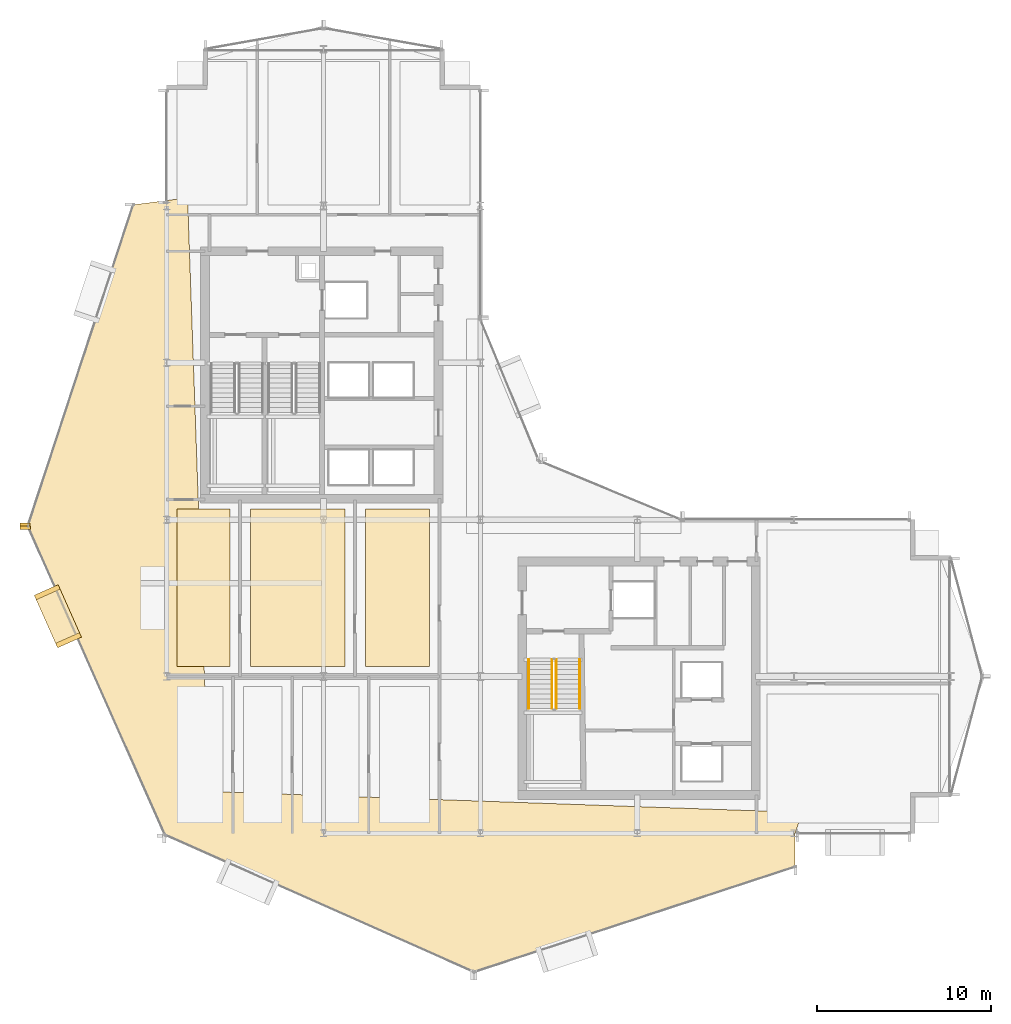
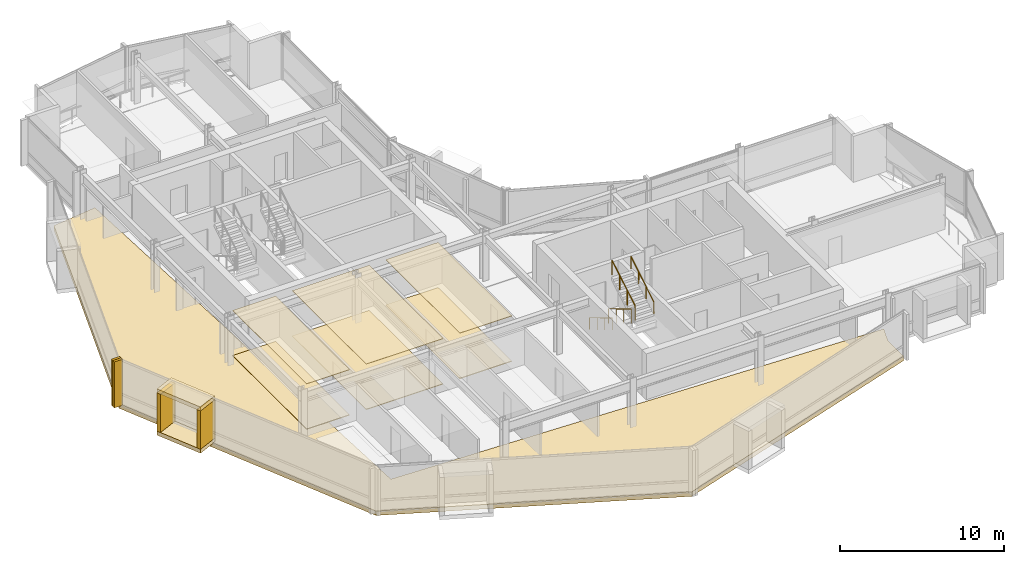
# One storey, part 25 of 28: 13 coverings, 4 railings.
"""IFC4 building model written with IfcOpenShell, lengths in metres."""

from ifc_helpers import new_model, si_unit, direction, frame, origin, origin_2d, place, context, subcontext, project, spatial, polyline, rectangle, circle, outline, extrude, material, layer, layer_set, type_object, element, save


model = new_model("IFC4")

# Units and contexts
model_context = context("Model", 3, precision=1e-05, world=origin(), true_north=direction((0.0, 1.0)))
body_context = subcontext(model_context, "Body", "Model", "MODEL_VIEW")
ifc_project = project(units=[si_unit("LENGTHUNIT", "METRE"), si_unit("AREAUNIT", "SQUARE_METRE"), si_unit("VOLUMEUNIT", "CUBIC_METRE"), si_unit("PLANEANGLEUNIT", "RADIAN"), si_unit("MASSUNIT", "GRAM", prefix="KILO")], contexts=[model_context])

# Site, building, storey
site_placement = place(None, origin())
site = spatial("IfcSite", under=ifc_project, at=site_placement, CompositionType="ELEMENT")
building_placement = place(site_placement, origin())
building = spatial("IfcBuilding", under=site, at=building_placement, Name="Solvaryn Broadcast Tower", CompositionType="ELEMENT")
storey_placement = place(building_placement, frame((0.0, 0.0, 154.39990234375)))
storey = spatial("IfcBuildingStorey", under=building, at=storey_placement, Name="L38", CompositionType="ELEMENT", Elevation=154.39990234375)

# Coverings
ifc_material_1 = material(Name="Micro-Perforated Acoustic Gypsum Ceiling", Category="concrete")
ifc_layer_1 = layer(ifc_material_1, 0.0400390625)
ifc_layer_set_1 = layer_set([ifc_layer_1], Name="CV-CEIL-ACOUSTIC")
covering_type_1 = type_object("IfcCoveringType", Name="CV-CEIL-ACOUSTIC", PredefinedType="CEILING", material=ifc_layer_set_1)
covering_1_placement = place(storey_placement, frame((0.0, 0.0, 3.380126953125)))
element("IfcCovering", 1, at=covering_1_placement, inside=storey, type_object=covering_type_1, Name="L38 Room Acoustic Ceiling 1", PredefinedType="CEILING", context=body_context, shape_type="SweptSolid", body=[
    extrude(outline(polyline([(9.60009765625, 18.570068359375), (12.6298828125, 18.570068359375), (12.6298828125, 27.60009765625), (9.60009765625, 27.60009765625), (9.60009765625, 18.570068359375)])), origin(), (0.0, 0.0, 1.0), 0.0400390625),
])
covering_2_placement = place(storey_placement, frame((0.0, 0.0, 3.380126953125)))
element("IfcCovering", 2, at=covering_2_placement, inside=storey, type_object=covering_type_1, Name="L38 Room Acoustic Ceiling 2", PredefinedType="CEILING", context=body_context, shape_type="SweptSolid", body=[
    extrude(outline(polyline([(13.800048828125, 18.570068359375), (19.22998046875, 18.570068359375), (19.22998046875, 27.60009765625), (13.800048828125, 27.60009765625), (13.800048828125, 18.570068359375)])), origin(), (0.0, 0.0, 1.0), 0.0400390625),
])
covering_3_placement = place(storey_placement, frame((0.0, 0.0, 3.380126953125)))
element("IfcCovering", 3, at=covering_3_placement, inside=storey, type_object=covering_type_1, Name="L38 Room Acoustic Ceiling 3", PredefinedType="CEILING", context=body_context, shape_type="SweptSolid", body=[
    extrude(outline(polyline([(20.39990234375, 18.570068359375), (24.080078125, 18.570068359375), (24.080078125, 27.60009765625), (20.39990234375, 27.60009765625), (20.39990234375, 18.570068359375)])), origin(), (0.0, 0.0, 1.0), 0.0400390625),
])
ifc_material_2 = material(Name="Newsroom Raised Data Access Flooring", Category="steel")
ifc_layer_2 = layer(ifc_material_2, 0.050048828125)
ifc_layer_set_2 = layer_set([ifc_layer_2], Name="CV-FLOOR-RAISED")
covering_type_2 = type_object("IfcCoveringType", Name="CV-FLOOR-RAISED", PredefinedType="FLOORING", material=ifc_layer_set_2)
covering_4_placement = place(storey_placement, origin())
element("IfcCovering", 4, at=covering_4_placement, inside=storey, type_object=covering_type_2, Name="L38 Room Acoustic Floor Finish 1", PredefinedType="FLOORING", context=body_context, shape_type="SweptSolid", body=[
    extrude(outline(polyline([(9.60009765625, 18.570068359375), (12.6298828125, 18.570068359375), (12.6298828125, 27.60009765625), (9.60009765625, 27.60009765625), (9.60009765625, 18.570068359375)])), origin(), (0.0, 0.0, 1.0), 0.050048828125),
])
covering_5_placement = place(storey_placement, origin())
element("IfcCovering", 5, at=covering_5_placement, inside=storey, type_object=covering_type_2, Name="L38 Room Acoustic Floor Finish 2", PredefinedType="FLOORING", context=body_context, shape_type="SweptSolid", body=[
    extrude(outline(polyline([(13.800048828125, 18.570068359375), (19.22998046875, 18.570068359375), (19.22998046875, 27.60009765625), (13.800048828125, 27.60009765625), (13.800048828125, 18.570068359375)])), origin(), (0.0, 0.0, 1.0), 0.050048828125),
])
covering_6_placement = place(storey_placement, origin())
element("IfcCovering", 6, at=covering_6_placement, inside=storey, type_object=covering_type_2, Name="L38 Room Acoustic Floor Finish 3", PredefinedType="FLOORING", context=body_context, shape_type="SweptSolid", body=[
    extrude(outline(polyline([(20.39990234375, 18.570068359375), (24.080078125, 18.570068359375), (24.080078125, 27.60009765625), (20.39990234375, 27.60009765625), (20.39990234375, 18.570068359375)])), origin(), (0.0, 0.0, 1.0), 0.050048828125),
])
ifc_material_3 = material(Name="Glazed Architectural Terracotta Rainscreen Cladding", Category="masonry")
ifc_layer_3 = layer(ifc_material_3, 0.280029296875)
ifc_layer_set_3 = layer_set([ifc_layer_3], Name="CV-TC-CLAD")
covering_type_3 = type_object("IfcCoveringType", Name="CV-TC-CLAD", PredefinedType="CLADDING", material=ifc_layer_set_3)
for number, where, z_axis, x_axis, name in (
    (7, (2.75390625, 21.45703125, 3.1298828125), (0.0, 0.0, 1.0), (0.405939269498, -0.913900054426, 0.0), "L38 Projecting Stone Window Box Hood 2"),
    (8, (2.75390625, 21.45703125, -0.009765625), (0.0, 0.0, 1.0), (0.405939269498, -0.913900054426, 0.0), "L38 Projecting Stone Window Box Sill 2"),
):
    element("IfcCovering", number, at=place(storey_placement, frame(where, z_axis=z_axis, x_axis=x_axis)), inside=storey, type_object=covering_type_3, Name=name, PredefinedType="CLADDING", context=body_context, shape_type="SweptSolid", body=[
        extrude(rectangle(XDim=3.300048828125, YDim=1.5, at=origin_2d()), origin(), (0.0, 0.0, 1.0), 0.300048828125),
    ])
for number, where, z_axis, x_axis, name in (
    (9, (2.14111328125, 22.8369140625, 0.2802734375), (0.0, 0.0, 1.0), (0.405939269498, -0.913900054426, 0.0), "L38 Projecting Stone Window Box Cheek 2-1"),
    (10, (3.366943359375, 20.076904296875, 0.2802734375), (0.0, 0.0, 1.0), (0.405939269498, -0.913900054426, 0.0), "L38 Projecting Stone Window Box Cheek 2-2"),
):
    element("IfcCovering", number, at=place(storey_placement, frame(where, z_axis=z_axis, x_axis=x_axis)), inside=storey, type_object=covering_type_3, Name=name, PredefinedType="CLADDING", context=body_context, shape_type="SweptSolid", body=[
        extrude(rectangle(XDim=0.280029296875, YDim=1.5, at=origin_2d()), origin(), (0.0, 0.0, 1.0), 2.860107421875),
    ])
ifc_material_4 = material(Name="Extruded Architectural Terracotta Fin", Category="masonry")
ifc_layer_4 = layer(ifc_material_4, 0.179931640625)
ifc_layer_set_4 = layer_set([ifc_layer_4], Name="CV-TC-FIN")
covering_type_4 = type_object("IfcCoveringType", Name="CV-TC-FIN", PredefinedType="USERDEFINED", material=ifc_layer_set_4)
for number, where, z_axis, x_axis, name in (
    (11, (0.872314453125, 26.720703125, 0.000244140625), (0.0, 0.0, 1.0), (1.0, 0.0, 0.0), "L38 Terracotta Vertical Fin FIN-L38-DR1-M01"),
    (12, (0.8818359375, 26.535888671875, 0.000244140625), (0.0, 0.0, 1.0), (1.0, 0.0, 0.0), "L38 Terracotta Vertical Fin FIN-L38-DR2-M00"),
):
    element("IfcCovering", number, at=place(storey_placement, frame(where, z_axis=z_axis, x_axis=x_axis)), inside=storey, type_object=covering_type_4, Name=name, ObjectType="FIN", PredefinedType="USERDEFINED", context=body_context, shape_type="SweptSolid", body=[
        extrude(rectangle(XDim=0.580078125, YDim=0.179931640625, at=origin_2d()), origin(), (0.0, 0.0, 1.0), 3.419921875),
    ])
ifc_material_5 = material(Name="Sculpted Architectural Terracotta Wave Fascia", Category="masonry")
ifc_layer_5 = layer(ifc_material_5, 0.340087890625)
ifc_layer_set_5 = layer_set([ifc_layer_5], Name="CV-WAVE-TRAY")
covering_type_5 = type_object("IfcCoveringType", Name="CV-WAVE-TRAY", PredefinedType="CLADDING", material=ifc_layer_set_5)
covering_7_placement = place(storey_placement, frame((0.0, 0.0, -0.2998046875)))
element("IfcCovering", 13, at=covering_7_placement, inside=storey, type_object=covering_type_5, Name="L38 Stepped Cylindrical Drum Floor Apron", PredefinedType="CLADDING", context=body_context, shape_type="SweptSolid", body=[
    extrude(outline(polyline([(10.199951171875, 45.467041015625), (7.0791015625, 45.06689453125), (1.033935546875, 26.635986328125), (8.907958984375, 8.907958984375), (26.635986328125, 1.033935546875), (45.06689453125, 7.0791015625), (45.06689453125, 9.0), (45.467041015625, 10.199951171875), (11.39990234375, 11.39990234375), (10.199951171875, 45.467041015625)])), origin(), (0.0, 0.0, 1.0), 0.329833984375),
])

# Railings
ifc_material_6 = material(Name="Painted Steel Stair Well Guard", Category="steel")
railing_type_1 = type_object("IfcRailingType", Name="RL-STAIR-GUARD", PredefinedType="BALUSTRADE", material=ifc_material_6)
railing_1_placement = place(storey_placement, frame((31.110107421875, 18.9599609375, 0.168212890625)))
element("IfcRailing", 14, at=railing_1_placement, inside=storey, type_object=railing_type_1, Name="L38 ST3 stair guard 1", PredefinedType="BALUSTRADE", context=body_context, shape_type="SweptSolid", body=[
    extrude(circle(Radius=0.02392578125, at=origin_2d()), frame((0.0, 0.0, 1.076171875), z_axis=(0.0, -0.857242210791, 0.514913383045), x_axis=(1.0, 0.0, 0.0)), (0.0, 0.0, 1.0), 3.266357421875),
    extrude(circle(Radius=0.02099609375, at=origin_2d()), origin(), (0.0, 0.0, 1.0), 1.052001953125),
    extrude(circle(Radius=0.02099609375, at=origin_2d()), frame((0.0, -0.933349609375, 0.560546875)), (0.0, 0.0, 1.0), 1.052001953125),
    extrude(circle(Radius=0.02099609375, at=origin_2d()), frame((0.0, -1.86669921875, 1.121337890625)), (0.0, 0.0, 1.0), 1.052001953125),
    extrude(circle(Radius=0.02099609375, at=origin_2d()), frame((0.0, -2.800048828125, 1.681884765625)), (0.0, 0.0, 1.0), 1.052001953125),
])
railing_2_placement = place(storey_placement, frame((31.360107421875, 16.159912109375, 2.018310546875)))
element("IfcRailing", 15, at=railing_2_placement, inside=storey, type_object=railing_type_1, Name="L38 ST3 stair guard 3", PredefinedType="BALUSTRADE", context=body_context, shape_type="SweptSolid", body=[
    extrude(circle(Radius=0.02392578125, at=origin_2d()), frame((0.0, 0.0, 1.076171875), z_axis=(0.0, 0.857242210791, 0.514913383045), x_axis=(-1.0, 0.0, 0.0)), (0.0, 0.0, 1.0), 3.266357421875),
    extrude(circle(Radius=0.02099609375, at=origin_2d()), origin(), (0.0, 0.0, 1.0), 1.052001953125),
    extrude(circle(Radius=0.02099609375, at=origin_2d()), frame((0.0, 0.933349609375, 0.560546875)), (0.0, 0.0, 1.0), 1.052001953125),
    extrude(circle(Radius=0.02099609375, at=origin_2d()), frame((0.0, 1.86669921875, 1.121337890625)), (0.0, 0.0, 1.0), 1.052001953125),
    extrude(circle(Radius=0.02099609375, at=origin_2d()), frame((0.0, 2.800048828125, 1.681884765625)), (0.0, 0.0, 1.0), 1.052001953125),
])
ifc_material_7 = material(Name="Brushed Stainless Steel Tubular Handrail", Category="steel")
railing_type_2 = type_object("IfcRailingType", Name="RL-STAIR-HANDRAIL", PredefinedType="HANDRAIL", material=ifc_material_7)
railing_3_placement = place(storey_placement, frame((29.77001953125, 18.9599609375, 0.168212890625)))
element("IfcRailing", 16, at=railing_3_placement, inside=storey, type_object=railing_type_2, Name="L38 ST3 stair handrail 1", PredefinedType="HANDRAIL", context=body_context, shape_type="SweptSolid", body=[
    extrude(circle(Radius=0.02392578125, at=origin_2d()), frame((0.0, 0.0, 0.8759765625), z_axis=(0.0, -0.857242210791, 0.514913383045), x_axis=(1.0, 0.0, 0.0)), (0.0, 0.0, 1.0), 3.266357421875),
    extrude(circle(Radius=0.02099609375, at=origin_2d()), origin(), (0.0, 0.0, 1.0), 0.851806640625),
    extrude(circle(Radius=0.02099609375, at=origin_2d()), frame((0.0, -0.933349609375, 0.560546875)), (0.0, 0.0, 1.0), 0.851806640625),
    extrude(circle(Radius=0.02099609375, at=origin_2d()), frame((0.0, -1.86669921875, 1.121337890625)), (0.0, 0.0, 1.0), 0.851806640625),
    extrude(circle(Radius=0.02099609375, at=origin_2d()), frame((0.0, -2.800048828125, 1.681884765625)), (0.0, 0.0, 1.0), 0.851806640625),
])
railing_4_placement = place(storey_placement, frame((32.699951171875, 16.159912109375, 2.018310546875)))
element("IfcRailing", 17, at=railing_4_placement, inside=storey, type_object=railing_type_2, Name="L38 ST3 stair handrail 2", PredefinedType="HANDRAIL", context=body_context, shape_type="SweptSolid", body=[
    extrude(circle(Radius=0.02392578125, at=origin_2d()), frame((0.0, 0.0, 0.8759765625), z_axis=(0.0, 0.857242210791, 0.514913383045), x_axis=(-1.0, 0.0, 0.0)), (0.0, 0.0, 1.0), 3.266357421875),
    extrude(circle(Radius=0.02099609375, at=origin_2d()), origin(), (0.0, 0.0, 1.0), 0.851806640625),
    extrude(circle(Radius=0.02099609375, at=origin_2d()), frame((0.0, 0.933349609375, 0.560546875)), (0.0, 0.0, 1.0), 0.851806640625),
    extrude(circle(Radius=0.02099609375, at=origin_2d()), frame((0.0, 1.86669921875, 1.121337890625)), (0.0, 0.0, 1.0), 0.851806640625),
    extrude(circle(Radius=0.02099609375, at=origin_2d()), frame((0.0, 2.800048828125, 1.681884765625)), (0.0, 0.0, 1.0), 0.851806640625),
])

save(model, "model.ifc")
